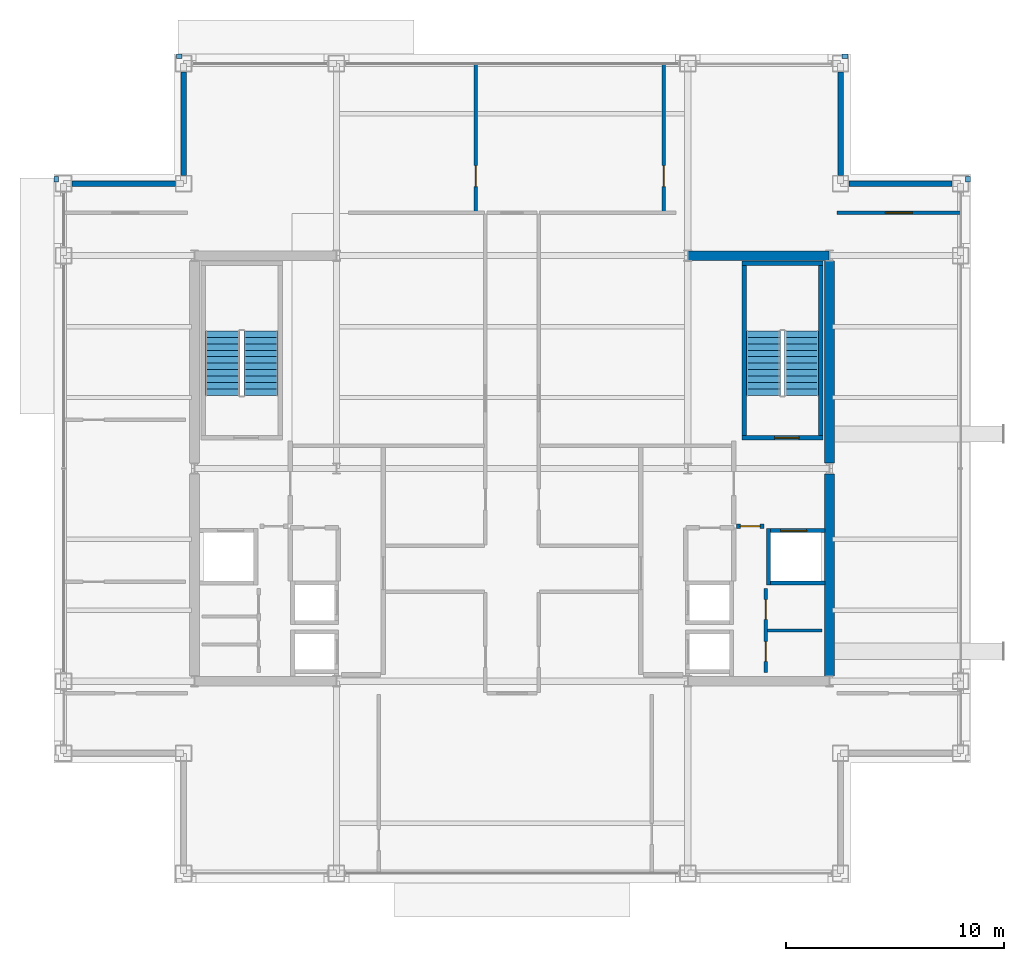
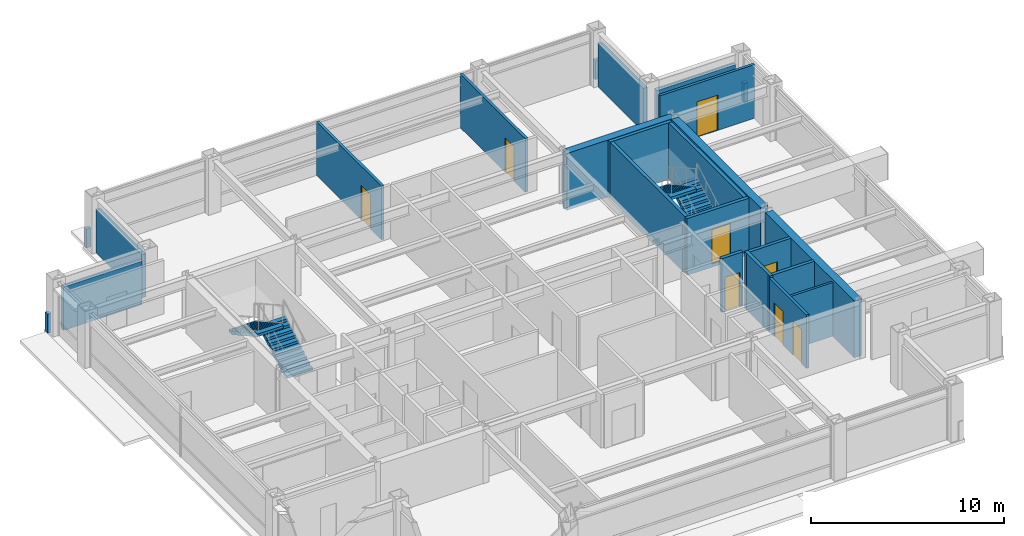
# One storey, part 25 of 26: 24 walls, 8 doors, 4 stair flights, 8 openings, 2 elements without a shape of their own.
"""IFC4 building model written with IfcOpenShell, lengths in metres."""

from ifc_helpers import new_model, si_unit, direction, frame, frame_2d, origin, place, context, subcontext, project, spatial, polyline, rectangle, outline, extrude, material, layer, layer_set, type_object, element, fill, aggregate, save


model = new_model("IFC4")

# Units and contexts
model_context = context("Model", 3, precision=1e-05, world=origin(), true_north=direction((0.0, 1.0)))
body_context = subcontext(model_context, "Body", "Model", "MODEL_VIEW")
ifc_project = project(units=[si_unit("LENGTHUNIT", "METRE"), si_unit("AREAUNIT", "SQUARE_METRE"), si_unit("VOLUMEUNIT", "CUBIC_METRE"), si_unit("PLANEANGLEUNIT", "RADIAN"), si_unit("MASSUNIT", "GRAM", prefix="KILO")], contexts=[model_context])

# Site, building, storey
site_placement = place(None, origin())
site = spatial("IfcSite", under=ifc_project, at=site_placement, CompositionType="ELEMENT")
building_placement = place(site_placement, origin())
building = spatial("IfcBuilding", under=site, at=building_placement, Name="Brelmoor Portico Tower", CompositionType="ELEMENT")
storey_placement = place(building_placement, frame((0.0, 0.0, 180.300048828125)))
storey = spatial("IfcBuildingStorey", under=building, at=storey_placement, Name="L47", CompositionType="ELEMENT", Elevation=180.300048828125)

# Walls
ifc_material_1 = material(Name="Concrete C50", Category="concrete")
ifc_layer_1 = layer(ifc_material_1, 0.449951171875)
ifc_layer_set_1 = layer_set([ifc_layer_1], Name="Concrete C50")
wall_type_1 = type_object("IfcWallType", Name="WL-CORE-450", PredefinedType="SHEAR", material=ifc_layer_set_1)
wall_1_placement = place(storey_placement, frame((8.070068359375, 9.75, -0.199951171875), z_axis=(0.0, 0.0, 1.0), x_axis=(1.0, 0.0, 0.0)))
element("IfcWall", 1, at=wall_1_placement, inside=storey, type_object=wall_type_1, Name="L47 EC North Shear Wall", PredefinedType="SHEAR", context=body_context, shape_type="SweptSolid", body=[
    extrude(rectangle(XDim=6.4599609375, YDim=0.449951171875, at=frame_2d((3.22998046875, 0.0))), origin(), (0.0, 0.0, 1.0), 3.599853515625),
])
for number, where, z_axis, x_axis, name in (
    (2, (14.550048828125, -9.5, -0.199951171875), (0.0, 0.0, 1.0), (0.0, 1.0, 0.0), "L47 EC Outer South Shear Wall"),
    (3, (14.550048828125, 0.25, -0.199951171875), (0.0, 0.0, 1.0), (0.0, 1.0, 0.0), "L47 EC Outer North Shear Wall"),
):
    element("IfcWall", number, at=place(storey_placement, frame(where, z_axis=z_axis, x_axis=x_axis)), inside=storey, type_object=wall_type_1, Name=name, PredefinedType="SHEAR", context=body_context, shape_type="SweptSolid", body=[
        extrude(rectangle(XDim=9.25, YDim=0.449951171875, at=frame_2d((4.625, 0.0))), origin(), (0.0, 0.0, 1.0), 3.599853515625),
    ])
ifc_material_2 = material(Name="Precast Concrete C40 Insulated Facade Wall", Category="concrete")
ifc_layer_2 = layer(ifc_material_2, 0.25)
ifc_layer_set_2 = layer_set([ifc_layer_2], Name="Precast Concrete C40 Insulated Facade Wall")
wall_type_2 = type_object("IfcWallType", Name="WL-EXT-250", PredefinedType="STANDARD", material=ifc_layer_set_2)
for number, where, z_axis, x_axis, name in (
    (4, (-20.1650390625, 13.050048828125, 0.0), (0.0, 0.0, 1.0), (1.0, 0.0, 0.0), "L47 Corner Notch Facade Wall NNWH1"),
    (5, (-15.050048828125, 13.43505859375, 0.0), (0.0, 0.0, 1.0), (0.0, 1.0, 0.0), "L47 Corner Notch Facade Wall NNWV1"),
    (6, (15.43505859375, 13.050048828125, 0.0), (0.0, 0.0, 1.0), (1.0, 0.0, 0.0), "L47 Corner Notch Facade Wall NNEH1"),
    (7, (15.050048828125, 13.43505859375, 0.0), (0.0, 0.0, 1.0), (0.0, 1.0, 0.0), "L47 Corner Notch Facade Wall NNEV1"),
):
    element("IfcWall", number, at=place(storey_placement, frame(where, z_axis=z_axis, x_axis=x_axis)), inside=storey, type_object=wall_type_2, Name=name, PredefinedType="STANDARD", context=body_context, shape_type="SweptSolid", body=[
        extrude(rectangle(XDim=4.72998046875, YDim=0.25, at=frame_2d((2.364990234375, 0.0))), origin(), (0.0, 0.0, 1.0), 2.75),
    ])
ifc_material_3 = material(Name="Concrete C40 Parapet Upstand", Category="concrete")
ifc_layer_3 = layer(ifc_material_3, 0.219970703125)
ifc_layer_set_3 = layer_set([ifc_layer_3], Name="Concrete C40 Parapet Upstand")
wall_type_3 = type_object("IfcWallType", Name="WL-PARAPET-220", PredefinedType="PARAPET", material=ifc_layer_set_3)
for number, where, z_axis, x_axis, name in (
    (8, (-15.389892578125, 18.889892578125, 0.0), (0.0, 0.0, 1.0), (1.0, 0.0, 0.0), "L47 Chamfer Vertex Parapet Pier NW1"),
    (9, (-20.889892578125, 13.1201171875, 0.0), (0.0, 0.0, 1.0), (0.0, 1.0, 0.0), "L47 Chamfer Vertex Parapet Pier NW2"),
    (10, (15.1201171875, 18.889892578125, 0.0), (0.0, 0.0, 1.0), (1.0, 0.0, 0.0), "L47 Chamfer Vertex Parapet Pier NE1"),
    (11, (20.889892578125, 13.1201171875, 0.0), (0.0, 0.0, 1.0), (0.0, 1.0, 0.0), "L47 Chamfer Vertex Parapet Pier NE2"),
):
    element("IfcWall", number, at=place(storey_placement, frame(where, z_axis=z_axis, x_axis=x_axis)), inside=storey, type_object=wall_type_3, Name=name, PredefinedType="PARAPET", context=body_context, shape_type="SweptSolid", body=[
        extrude(rectangle(XDim=0.269775390625, YDim=0.219970703125, at=frame_2d((0.134765625, 0.0))), origin(), (0.0, 0.0, 1.0), 1.199951171875),
    ])
ifc_material_4 = material(Name="Insulated Stud Suite Partition", Category="gypsum")
ifc_layer_4 = layer(ifc_material_4, 0.139892578125)
ifc_layer_set_4 = layer_set([ifc_layer_4], Name="Insulated Stud Suite Partition")
wall_type_4 = type_object("IfcWallType", Name="WL-PART-140", PredefinedType="PARTITIONING", material=ifc_layer_set_4)
wall_2_placement = place(storey_placement, frame((11.699951171875, -7.425048828125, 0.0), z_axis=(0.0, 0.0, 1.0), x_axis=(1.0, 0.0, 0.0)))
element("IfcWall", 12, at=wall_2_placement, inside=storey, type_object=wall_type_4, Name="L47 E Core WC Divider 1", PredefinedType="PARTITIONING", context=body_context, shape_type="SweptSolid", body=[
    extrude(rectangle(XDim=2.5, YDim=0.139892578125, at=frame_2d((1.25, 0.0))), origin(), (0.0, 0.0, 1.0), 3.39990234375),
])

# Wall, openings, doors
ifc_material_5 = material(Name="Twin-Frame Acoustic Partition", Category="gypsum")
ifc_layer_5 = layer(ifc_material_5, 0.159912109375)
ifc_layer_set_5 = layer_set([ifc_layer_5], Name="Twin-Frame Acoustic Partition")
wall_type_5 = type_object("IfcWallType", Name="WL-PART-160", PredefinedType="PARTITIONING", material=ifc_layer_set_5)
wall_3_placement = place(storey_placement, frame((11.6201171875, -9.35009765625, 0.0), z_axis=(0.0, 0.0, 1.0), x_axis=(0.0, 1.0, 0.0)))
wall_3 = element("IfcWall", 13, at=wall_3_placement, inside=storey, type_object=wall_type_5, Name="L47 E Core Service Front Wall", PredefinedType="PARTITIONING", context=body_context, shape_type="SweptSolid", body=[
    extrude(rectangle(XDim=3.85009765625, YDim=0.159912109375, at=frame_2d((1.925048828125, 0.0))), origin(), (0.0, 0.0, 1.0), 3.39990234375),
])
opening_1_placement = place(wall_3_placement, frame((0.512451171875, 0.0, 0.0)))
opening_1 = element("IfcOpeningElement", 14, at=opening_1_placement, cuts=wall_3, Name="Opening D-IN1", PredefinedType="OPENING", context=body_context, shape_type="SweptSolid", body=[
    extrude(rectangle(XDim=0.89990234375, YDim=2.14990234375, at=frame_2d((0.449951171875, 1.074951171875))), frame((0.0, 0.08984375, 0.0), z_axis=(0.0, -1.0, 0.0), x_axis=(1.0, 0.0, 0.0)), (0.0, 0.0, 1.0), 0.179931640625),
])
opening_2_placement = place(wall_3_placement, frame((2.4375, 0.0, 0.0)))
opening_2 = element("IfcOpeningElement", 15, at=opening_2_placement, cuts=wall_3, Name="Opening D-IN1", PredefinedType="OPENING", context=body_context, shape_type="SweptSolid", body=[
    extrude(rectangle(XDim=0.89990234375, YDim=2.14990234375, at=frame_2d((0.449951171875, 1.074951171875))), frame((0.0, 0.08984375, 0.0), z_axis=(0.0, -1.0, 0.0), x_axis=(1.0, 0.0, 0.0)), (0.0, 0.0, 1.0), 0.179931640625),
])
ifc_material_6 = material(Name="Lacquered Timber Suite Door", Category="wood")
door_type_1 = type_object("IfcDoorType", Name="DR-INT-900", OperationType="NOTDEFINED", PredefinedType="DOOR", material=ifc_material_6)
door_1_placement = place(opening_1_placement, origin())
door_1 = element("IfcDoor", 16, at=door_1_placement, inside=storey, type_object=door_type_1, Name="D-1991 L47 E Male WC Door", OperationType="SINGLE_SWING_LEFT", OverallHeight=2.14990234375, OverallWidth=0.89990234375, PredefinedType="DOOR", context=body_context, shape_type="SweptSolid", body=[
    extrude(rectangle(XDim=0.89990234375, YDim=2.14990234375, at=frame_2d((0.449951171875, 1.074951171875))), frame((0.0, 0.02490234375, 0.0), z_axis=(0.0, -1.0, 0.0), x_axis=(1.0, 0.0, 0.0)), (0.0, 0.0, 1.0), 0.050048828125),
])
fill(opening_1, door_1)
door_2_placement = place(opening_2_placement, origin())
door_2 = element("IfcDoor", 17, at=door_2_placement, inside=storey, type_object=door_type_1, Name="D-1992 L47 E Female WC Door", OperationType="SINGLE_SWING_RIGHT", OverallHeight=2.14990234375, OverallWidth=0.89990234375, PredefinedType="DOOR", context=body_context, shape_type="SweptSolid", body=[
    extrude(rectangle(XDim=0.89990234375, YDim=2.14990234375, at=frame_2d((0.449951171875, 1.074951171875))), frame((0.0, 0.02490234375, 0.0), z_axis=(0.0, -1.0, 0.0), x_axis=(1.0, 0.0, 0.0)), (0.0, 0.0, 1.0), 0.050048828125),
])
fill(opening_2, door_2)

# Wall, opening, door
wall_4_placement = place(storey_placement, frame((-1.669189453125, 11.77001953125, 0.0), z_axis=(0.0, 0.0, 1.0), x_axis=(0.0, 1.0, 0.0)))
wall_4 = element("IfcWall", 18, at=wall_4_placement, inside=storey, type_object=wall_type_5, Name="L47 North Suite Partition 1", PredefinedType="PARTITIONING", context=body_context, shape_type="SweptSolid", body=[
    extrude(rectangle(XDim=6.7900390625, YDim=0.159912109375, at=frame_2d((3.39501953125, 0.0))), origin(), (0.0, 0.0, 1.0), 3.39990234375),
])
opening_3_placement = place(wall_4_placement, frame((1.14990234375, 0.0, 0.0)))
opening_3 = element("IfcOpeningElement", 19, at=opening_3_placement, cuts=wall_4, Name="Opening D-IN2", PredefinedType="OPENING", context=body_context, shape_type="SweptSolid", body=[
    extrude(rectangle(XDim=0.9599609375, YDim=2.179931640625, at=frame_2d((0.47998046875, 1.08984375))), frame((0.0, 0.08984375, 0.0), z_axis=(0.0, -1.0, 0.0), x_axis=(1.0, 0.0, 0.0)), (0.0, 0.0, 1.0), 0.179931640625),
])
door_type_2 = type_object("IfcDoorType", Name="DR-INT-950", OperationType="NOTDEFINED", PredefinedType="DOOR", material=ifc_material_6)
door_3_placement = place(opening_3_placement, origin())
door_3 = element("IfcDoor", 20, at=door_3_placement, inside=storey, type_object=door_type_2, Name="D-2005 L47 North Suite Connecting Door 1", OperationType="SINGLE_SWING_LEFT", OverallHeight=2.179931640625, OverallWidth=0.9599609375, PredefinedType="DOOR", context=body_context, shape_type="SweptSolid", body=[
    extrude(rectangle(XDim=0.9599609375, YDim=2.179931640625, at=frame_2d((0.47998046875, 1.08984375))), frame((0.0, 0.02490234375, 0.0), z_axis=(0.0, -1.0, 0.0), x_axis=(1.0, 0.0, 0.0)), (0.0, 0.0, 1.0), 0.050048828125),
])
fill(opening_3, door_3)

wall_5_placement = place(storey_placement, frame((6.955078125, 11.77001953125, 0.0), z_axis=(0.0, 0.0, 1.0), x_axis=(0.0, 1.0, 0.0)))
wall_5 = element("IfcWall", 21, at=wall_5_placement, inside=storey, type_object=wall_type_5, Name="L47 North Suite Partition 2", PredefinedType="PARTITIONING", context=body_context, shape_type="SweptSolid", body=[
    extrude(rectangle(XDim=6.7900390625, YDim=0.159912109375, at=frame_2d((3.39501953125, 0.0))), origin(), (0.0, 0.0, 1.0), 3.39990234375),
])
opening_4_placement = place(wall_5_placement, frame((1.14990234375, 0.0, 0.0)))
opening_4 = element("IfcOpeningElement", 22, at=opening_4_placement, cuts=wall_5, Name="Opening D-IN2", PredefinedType="OPENING", context=body_context, shape_type="SweptSolid", body=[
    extrude(rectangle(XDim=0.9599609375, YDim=2.179931640625, at=frame_2d((0.47998046875, 1.08984375))), frame((0.0, 0.08984375, 0.0), z_axis=(0.0, -1.0, 0.0), x_axis=(1.0, 0.0, 0.0)), (0.0, 0.0, 1.0), 0.179931640625),
])
door_4_placement = place(opening_4_placement, origin())
door_4 = element("IfcDoor", 23, at=door_4_placement, inside=storey, type_object=door_type_2, Name="D-2006 L47 North Suite Connecting Door 2", OperationType="SINGLE_SWING_RIGHT", OverallHeight=2.179931640625, OverallWidth=0.9599609375, PredefinedType="DOOR", context=body_context, shape_type="SweptSolid", body=[
    extrude(rectangle(XDim=0.9599609375, YDim=2.179931640625, at=frame_2d((0.47998046875, 1.08984375))), frame((0.0, 0.02490234375, 0.0), z_axis=(0.0, -1.0, 0.0), x_axis=(1.0, 0.0, 0.0)), (0.0, 0.0, 1.0), 0.050048828125),
])
fill(opening_4, door_4)

wall_6_placement = place(storey_placement, frame((14.8798828125, 11.7099609375, 0.0), z_axis=(0.0, 0.0, 1.0), x_axis=(1.0, 0.0, 0.0)))
wall_6 = element("IfcWall", 24, at=wall_6_placement, inside=storey, type_object=wall_type_5, Name="L47 North Wing Suite Wall ER", PredefinedType="PARTITIONING", context=body_context, shape_type="SweptSolid", body=[
    extrude(rectangle(XDim=5.68017578125, YDim=0.159912109375, at=frame_2d((2.840087890625, 0.0))), origin(), (0.0, 0.0, 1.0), 3.39990234375),
])
opening_5_placement = place(wall_6_placement, frame((2.219970703125, 0.0, 0.0)))
opening_5 = element("IfcOpeningElement", 25, at=opening_5_placement, cuts=wall_6, Name="Opening D-SU1", PredefinedType="OPENING", context=body_context, shape_type="SweptSolid", body=[
    extrude(rectangle(XDim=1.239990234375, YDim=2.239990234375, at=frame_2d((0.6201171875, 1.1201171875))), frame((0.0, 0.08984375, 0.0), z_axis=(0.0, -1.0, 0.0), x_axis=(1.0, 0.0, 0.0)), (0.0, 0.0, 1.0), 0.179931640625),
])
ifc_material_7 = material(Name="Glazed Timber Executive Suite Door", Category="wood")
door_type_3 = type_object("IfcDoorType", Name="DR-SUITE-1200", OperationType="NOTDEFINED", PredefinedType="DOOR", material=ifc_material_7)
door_5_placement = place(opening_5_placement, origin())
door_5 = element("IfcDoor", 26, at=door_5_placement, inside=storey, type_object=door_type_3, Name="D-2007 L47 ER Wing Suite Connecting Door", OperationType="SINGLE_SWING_LEFT", OverallHeight=2.239990234375, OverallWidth=1.239990234375, PredefinedType="DOOR", context=body_context, shape_type="SweptSolid", body=[
    extrude(rectangle(XDim=1.239990234375, YDim=2.239990234375, at=frame_2d((0.6201171875, 1.1201171875))), frame((0.0, 0.02490234375, 0.0), z_axis=(0.0, -1.0, 0.0), x_axis=(1.0, 0.0, 0.0)), (0.0, 0.0, 1.0), 0.050048828125),
])
fill(opening_5, door_5)

ifc_material_8 = material(Name="Double-Stud Gypsum Fire Partition", Category="gypsum")
ifc_layer_6 = layer(ifc_material_8, 0.199951171875)
ifc_layer_set_6 = layer_set([ifc_layer_6], Name="Double-Stud Gypsum Fire Partition")
wall_type_6 = type_object("IfcWallType", Name="WL-PART-200", PredefinedType="PARTITIONING", material=ifc_layer_set_6)
wall_7_placement = place(storey_placement, frame((10.280029296875, -2.64990234375, 0.0), z_axis=(0.0, 0.0, 1.0), x_axis=(1.0, 0.0, 0.0)))
wall_7 = element("IfcWall", 27, at=wall_7_placement, inside=storey, type_object=wall_type_6, Name="L47 E Firefighting Lobby South Wall", PredefinedType="PARTITIONING", context=body_context, shape_type="SweptSolid", body=[
    extrude(rectangle(XDim=1.27001953125, YDim=0.199951171875, at=frame_2d((0.635009765625, 0.0))), origin(), (0.0, 0.0, 1.0), 3.39990234375),
])
opening_6_placement = place(wall_7_placement, frame((0.18505859375, 0.0, 0.0)))
opening_6 = element("IfcOpeningElement", 28, at=opening_6_placement, cuts=wall_7, Name="Opening D-IN1", PredefinedType="OPENING", context=body_context, shape_type="SweptSolid", body=[
    extrude(rectangle(XDim=0.89990234375, YDim=2.14990234375, at=frame_2d((0.449951171875, 1.074951171875))), frame((0.0, 0.10986328125, 0.0), z_axis=(0.0, -1.0, 0.0), x_axis=(1.0, 0.0, 0.0)), (0.0, 0.0, 1.0), 0.219970703125),
])
door_6_placement = place(opening_6_placement, origin())
door_6 = element("IfcDoor", 29, at=door_6_placement, inside=storey, type_object=door_type_1, Name="D-1993 L47 E Core Service Vestibule Door", OperationType="SINGLE_SWING_LEFT", OverallHeight=2.14990234375, OverallWidth=0.89990234375, PredefinedType="DOOR", context=body_context, shape_type="SweptSolid", body=[
    extrude(rectangle(XDim=0.89990234375, YDim=2.14990234375, at=frame_2d((0.449951171875, 1.074951171875))), frame((0.0, 0.02490234375, 0.0), z_axis=(0.0, -1.0, 0.0), x_axis=(1.0, 0.0, 0.0)), (0.0, 0.0, 1.0), 0.050048828125),
])
fill(opening_6, door_6)

ifc_material_9 = material(Name="Precast Concrete C40", Category="concrete")
ifc_layer_7 = layer(ifc_material_9, 0.18994140625)
ifc_layer_set_7 = layer_set([ifc_layer_7], Name="Precast Concrete C40")
wall_type_7 = type_object("IfcWallType", Name="WL-SHAFT-180", PredefinedType="SOLIDWALL", material=ifc_layer_set_7)
wall_8_placement = place(storey_placement, frame((11.64990234375, -2.844970703125, -0.199951171875), z_axis=(0.0, 0.0, 1.0), x_axis=(1.0, 0.0, 0.0)))
wall_8 = element("IfcWall", 30, at=wall_8_placement, inside=storey, type_object=wall_type_7, Name="L47 Lift FF2 Hoistway Front Wall", PredefinedType="SOLIDWALL", context=body_context, shape_type="SweptSolid", body=[
    extrude(rectangle(XDim=2.68017578125, YDim=0.18994140625, at=frame_2d((1.340087890625, 0.0))), origin(), (0.0, 0.0, 1.0), 3.599853515625),
])
opening_7_placement = place(wall_8_placement, frame((0.64990234375, 0.0, 0.199951171875)))
opening_7 = element("IfcOpeningElement", 31, at=opening_7_placement, cuts=wall_8, Name="Opening LD-02", PredefinedType="OPENING", context=body_context, shape_type="SweptSolid", body=[
    extrude(rectangle(XDim=1.199951171875, YDim=2.199951171875, at=frame_2d((0.60009765625, 1.10009765625))), frame((0.0, 0.10498046875, 0.0), z_axis=(0.0, -1.0, 0.0), x_axis=(1.0, 0.0, 0.0)), (0.0, 0.0, 1.0), 0.2099609375),
])
ifc_material_10 = material(Name="Brushed Stainless Steel Firefighting Lift Door", Category="steel")
door_type_4 = type_object("IfcDoorType", Name="DR-LIFT-1200", OperationType="NOTDEFINED", PredefinedType="DOOR", material=ifc_material_10)
door_7_placement = place(opening_7_placement, origin())
door_7 = element("IfcDoor", 32, at=door_7_placement, inside=storey, type_object=door_type_4, Name="D-2019 L47 Lift FF2 Sliding Landing Door", OperationType="SLIDING_TO_LEFT", OverallHeight=2.199951171875, OverallWidth=1.199951171875, PredefinedType="DOOR", context=body_context, shape_type="SweptSolid", body=[
    extrude(rectangle(XDim=1.199951171875, YDim=2.199951171875, at=frame_2d((0.60009765625, 1.10009765625))), frame((0.0, 0.02490234375, 0.0), z_axis=(0.0, -1.0, 0.0), x_axis=(1.0, 0.0, 0.0)), (0.0, 0.0, 1.0), 0.050048828125),
])
fill(opening_7, door_7)

# Walls
wall_9_placement = place(storey_placement, frame((11.64990234375, -5.2548828125, -0.199951171875), z_axis=(0.0, 0.0, 1.0), x_axis=(1.0, 0.0, 0.0)))
element("IfcWall", 33, at=wall_9_placement, inside=storey, type_object=wall_type_7, Name="L47 Firefighting Lift FF2 South Wall", PredefinedType="SOLIDWALL", context=body_context, shape_type="SweptSolid", body=[
    extrude(rectangle(XDim=2.68017578125, YDim=0.18994140625, at=frame_2d((1.340087890625, 0.0))), origin(), (0.0, 0.0, 1.0), 3.599853515625),
])
wall_10_placement = place(storey_placement, frame((11.7451171875, -5.35009765625, -0.199951171875), z_axis=(0.0, 0.0, 1.0), x_axis=(0.0, 1.0, 0.0)))
element("IfcWall", 34, at=wall_10_placement, inside=storey, type_object=wall_type_7, Name="L47 Firefighting Lift FF2 Inner Wall", PredefinedType="SOLIDWALL", context=body_context, shape_type="SweptSolid", body=[
    extrude(rectangle(XDim=2.60009765625, YDim=0.18994140625, at=frame_2d((1.300048828125, 0.0))), origin(), (0.0, 0.0, 1.0), 3.599853515625),
])
ifc_material_11 = material(Name="Concrete C40", Category="concrete")
ifc_layer_8 = layer(ifc_material_11, 0.199951171875)
ifc_layer_set_8 = layer_set([ifc_layer_8], Name="Concrete C40")
wall_type_8 = type_object("IfcWallType", Name="WL-SHAFT-RC200", PredefinedType="SOLIDWALL", material=ifc_layer_set_8)
wall_11_placement = place(storey_placement, frame((14.14990234375, 1.5, -0.199951171875), z_axis=(0.0, 0.0, 1.0), x_axis=(0.0, 1.0, 0.0)))
element("IfcWall", 35, at=wall_11_placement, inside=storey, type_object=wall_type_8, Name="L47 ST-E Structural Stair Wall Outer", PredefinedType="SOLIDWALL", context=body_context, shape_type="SweptSolid", body=[
    extrude(rectangle(XDim=7.800048828125, YDim=0.199951171875, at=frame_2d((3.89990234375, 0.0))), origin(), (0.0, 0.0, 1.0), 3.599853515625),
])

# Wall, opening, door
wall_12_placement = place(storey_placement, frame((10.530029296875, 1.39990234375, -0.199951171875), z_axis=(0.0, 0.0, 1.0), x_axis=(1.0, 0.0, 0.0)))
wall_12 = element("IfcWall", 36, at=wall_12_placement, inside=storey, type_object=wall_type_8, Name="L47 ST-E Structural Stair Wall S", PredefinedType="SOLIDWALL", context=body_context, shape_type="SweptSolid", body=[
    extrude(rectangle(XDim=3.719970703125, YDim=0.199951171875, at=frame_2d((1.85986328125, 0.0))), origin(), (0.0, 0.0, 1.0), 3.599853515625),
])
opening_8_placement = place(wall_12_placement, frame((1.5, 0.0, 0.199951171875)))
opening_8 = element("IfcOpeningElement", 37, at=opening_8_placement, cuts=wall_12, Name="Opening D-ST1", PredefinedType="OPENING", context=body_context, shape_type="SweptSolid", body=[
    extrude(rectangle(XDim=1.1201171875, YDim=2.179931640625, at=frame_2d((0.56005859375, 1.08984375))), frame((0.0, 0.10986328125, 0.0), z_axis=(0.0, -1.0, 0.0), x_axis=(1.0, 0.0, 0.0)), (0.0, 0.0, 1.0), 0.219970703125),
])
ifc_material_12 = material(Name="Painted Galvanised Steel Fire Door", Category="steel")
door_type_5 = type_object("IfcDoorType", Name="DR-STAIR-1100", OperationType="NOTDEFINED", PredefinedType="DOOR", material=ifc_material_12)
door_8_placement = place(opening_8_placement, origin())
door_8 = element("IfcDoor", 38, at=door_8_placement, inside=storey, type_object=door_type_5, Name="D-2012 L47 ST-E Protected Exit Stair Door", OperationType="SINGLE_SWING_RIGHT", OverallHeight=2.179931640625, OverallWidth=1.1201171875, PredefinedType="DOOR", context=body_context, shape_type="SweptSolid", body=[
    extrude(rectangle(XDim=1.1201171875, YDim=2.179931640625, at=frame_2d((0.56005859375, 1.08984375))), frame((0.0, 0.02490234375, 0.0), z_axis=(0.0, -1.0, 0.0), x_axis=(1.0, 0.0, 0.0)), (0.0, 0.0, 1.0), 0.050048828125),
])
fill(opening_8, door_8)

# Walls
wall_13_placement = place(storey_placement, frame((10.530029296875, 9.39990234375, -0.199951171875), z_axis=(0.0, 0.0, 1.0), x_axis=(1.0, 0.0, 0.0)))
element("IfcWall", 39, at=wall_13_placement, inside=storey, type_object=wall_type_8, Name="L47 ST-E Structural Stair Wall N", PredefinedType="SOLIDWALL", context=body_context, shape_type="SweptSolid", body=[
    extrude(rectangle(XDim=3.719970703125, YDim=0.199951171875, at=frame_2d((1.85986328125, 0.0))), origin(), (0.0, 0.0, 1.0), 3.599853515625),
])
wall_14_placement = place(storey_placement, frame((10.6298828125, 1.5, -0.199951171875), z_axis=(0.0, 0.0, 1.0), x_axis=(0.0, 1.0, 0.0)))
element("IfcWall", 40, at=wall_14_placement, inside=storey, type_object=wall_type_8, Name="L47 ST-E Structural Stair Wall Inner", PredefinedType="SOLIDWALL", context=body_context, shape_type="SweptSolid", body=[
    extrude(rectangle(XDim=7.800048828125, YDim=0.199951171875, at=frame_2d((3.89990234375, 0.0))), origin(), (0.0, 0.0, 1.0), 3.599853515625),
])

# Stair, stair flights
stair_type_1 = type_object("IfcStairType", Name="ST-CORE-W", PredefinedType="HALF_TURN_STAIR", material=ifc_material_11)
stair_1_placement = place(storey_placement, origin())
stair_1 = element("IfcStair", 41, at=stair_1_placement, inside=storey, type_object=stair_type_1, Name="L47 Protected Core Exit Stair ST-W", PredefinedType="HALF_TURN_STAIR")
stair_flight_type = type_object("IfcStairFlightType", Name="SF-CORE-1850", PredefinedType="STRAIGHT", material=ifc_material_11)
stair_flight_1_placement = place(storey_placement, frame((-11.510009765625, 3.35009765625, 0.0), z_axis=(0.0, 0.0, 1.0), x_axis=(0.0, 1.0, 0.0)))
stair_flight_1 = element("IfcStairFlight", 42, at=stair_flight_1_placement, type_object=stair_flight_type, Name="ST-W flight 1", NumberOfRisers=11, NumberOfTreads=10, PredefinedType="STRAIGHT", RiserHeight=0.163636364, TreadLength=0.295, context=body_context, shape_type="SweptSolid", body=[
    extrude(outline(polyline([(0.0, 0.0), (0.0, 0.16357421875), (0.294921875, 0.16357421875), (0.294921875, 0.327392578125), (0.590087890625, 0.327392578125), (0.590087890625, 0.490966796875), (0.885009765625, 0.490966796875), (0.885009765625, 0.654541015625), (1.179931640625, 0.654541015625), (1.179931640625, 0.818115234375), (1.47509765625, 0.818115234375), (1.47509765625, 0.98193359375), (1.77001953125, 0.98193359375), (1.77001953125, 1.1455078125), (2.06494140625, 1.1455078125), (2.06494140625, 1.30908203125), (2.360107421875, 1.30908203125), (2.360107421875, 1.47265625), (2.655029296875, 1.47265625), (2.655029296875, 1.636474609375), (2.949951171875, 1.636474609375), (2.949951171875, 1.800048828125), (2.949951171875, 1.46484375), (0.30908203125, 0.0), (0.0, 0.0)])), frame((0.0, 0.780029296875, 0.0), z_axis=(0.0, -1.0, 0.0), x_axis=(1.0, 0.0, 0.0)), (0.0, 0.0, 1.0), 1.56005859375),
])
stair_flight_2_placement = place(storey_placement, frame((-13.27001953125, 6.300048828125, 1.800048828125), z_axis=(0.0, 0.0, 1.0), x_axis=(0.0, -1.0, 0.0)))
stair_flight_2 = element("IfcStairFlight", 43, at=stair_flight_2_placement, type_object=stair_flight_type, Name="ST-W flight 2", NumberOfRisers=11, NumberOfTreads=10, PredefinedType="STRAIGHT", RiserHeight=0.163636364, TreadLength=0.295, context=body_context, shape_type="SweptSolid", body=[
    extrude(outline(polyline([(0.0, 0.0), (0.0, 0.16357421875), (0.294921875, 0.16357421875), (0.294921875, 0.327392578125), (0.590087890625, 0.327392578125), (0.590087890625, 0.490966796875), (0.885009765625, 0.490966796875), (0.885009765625, 0.654541015625), (1.179931640625, 0.654541015625), (1.179931640625, 0.818115234375), (1.47509765625, 0.818115234375), (1.47509765625, 0.98193359375), (1.77001953125, 0.98193359375), (1.77001953125, 1.1455078125), (2.06494140625, 1.1455078125), (2.06494140625, 1.30908203125), (2.360107421875, 1.30908203125), (2.360107421875, 1.47265625), (2.655029296875, 1.47265625), (2.655029296875, 1.636474609375), (2.949951171875, 1.636474609375), (2.949951171875, 1.800048828125), (2.949951171875, 1.46484375), (0.30908203125, 0.0), (0.0, 0.0)])), frame((0.0, 0.780029296875, 0.0), z_axis=(0.0, -1.0, 0.0), x_axis=(1.0, 0.0, 0.0)), (0.0, 0.0, 1.0), 1.56005859375),
])
aggregate(stair_1, [stair_flight_1, stair_flight_2])

stair_type_2 = type_object("IfcStairType", Name="ST-CORE-E", PredefinedType="HALF_TURN_STAIR", material=ifc_material_11)
stair_2_placement = place(storey_placement, origin())
stair_2 = element("IfcStair", 44, at=stair_2_placement, inside=storey, type_object=stair_type_2, Name="L47 Protected Core Exit Stair ST-E", PredefinedType="HALF_TURN_STAIR")
stair_flight_3_placement = place(storey_placement, frame((13.27001953125, 3.35009765625, 0.0), z_axis=(0.0, 0.0, 1.0), x_axis=(0.0, 1.0, 0.0)))
stair_flight_3 = element("IfcStairFlight", 45, at=stair_flight_3_placement, type_object=stair_flight_type, Name="ST-E flight 1", NumberOfRisers=11, NumberOfTreads=10, PredefinedType="STRAIGHT", RiserHeight=0.163636364, TreadLength=0.295, context=body_context, shape_type="SweptSolid", body=[
    extrude(outline(polyline([(0.0, 0.0), (0.0, 0.16357421875), (0.294921875, 0.16357421875), (0.294921875, 0.327392578125), (0.590087890625, 0.327392578125), (0.590087890625, 0.490966796875), (0.885009765625, 0.490966796875), (0.885009765625, 0.654541015625), (1.179931640625, 0.654541015625), (1.179931640625, 0.818115234375), (1.47509765625, 0.818115234375), (1.47509765625, 0.98193359375), (1.77001953125, 0.98193359375), (1.77001953125, 1.1455078125), (2.06494140625, 1.1455078125), (2.06494140625, 1.30908203125), (2.360107421875, 1.30908203125), (2.360107421875, 1.47265625), (2.655029296875, 1.47265625), (2.655029296875, 1.636474609375), (2.949951171875, 1.636474609375), (2.949951171875, 1.800048828125), (2.949951171875, 1.46484375), (0.30908203125, 0.0), (0.0, 0.0)])), frame((0.0, 0.780029296875, 0.0), z_axis=(0.0, -1.0, 0.0), x_axis=(1.0, 0.0, 0.0)), (0.0, 0.0, 1.0), 1.56005859375),
])
stair_flight_4_placement = place(storey_placement, frame((11.510009765625, 6.300048828125, 1.800048828125), z_axis=(0.0, 0.0, 1.0), x_axis=(0.0, -1.0, 0.0)))
stair_flight_4 = element("IfcStairFlight", 46, at=stair_flight_4_placement, type_object=stair_flight_type, Name="ST-E flight 2", NumberOfRisers=11, NumberOfTreads=10, PredefinedType="STRAIGHT", RiserHeight=0.163636364, TreadLength=0.295, context=body_context, shape_type="SweptSolid", body=[
    extrude(outline(polyline([(0.0, 0.0), (0.0, 0.16357421875), (0.294921875, 0.16357421875), (0.294921875, 0.327392578125), (0.590087890625, 0.327392578125), (0.590087890625, 0.490966796875), (0.885009765625, 0.490966796875), (0.885009765625, 0.654541015625), (1.179931640625, 0.654541015625), (1.179931640625, 0.818115234375), (1.47509765625, 0.818115234375), (1.47509765625, 0.98193359375), (1.77001953125, 0.98193359375), (1.77001953125, 1.1455078125), (2.06494140625, 1.1455078125), (2.06494140625, 1.30908203125), (2.360107421875, 1.30908203125), (2.360107421875, 1.47265625), (2.655029296875, 1.47265625), (2.655029296875, 1.636474609375), (2.949951171875, 1.636474609375), (2.949951171875, 1.800048828125), (2.949951171875, 1.46484375), (0.30908203125, 0.0), (0.0, 0.0)])), frame((0.0, 0.780029296875, 0.0), z_axis=(0.0, -1.0, 0.0), x_axis=(1.0, 0.0, 0.0)), (0.0, 0.0, 1.0), 1.56005859375),
])
aggregate(stair_2, [stair_flight_3, stair_flight_4])

save(model, "model.ifc")
